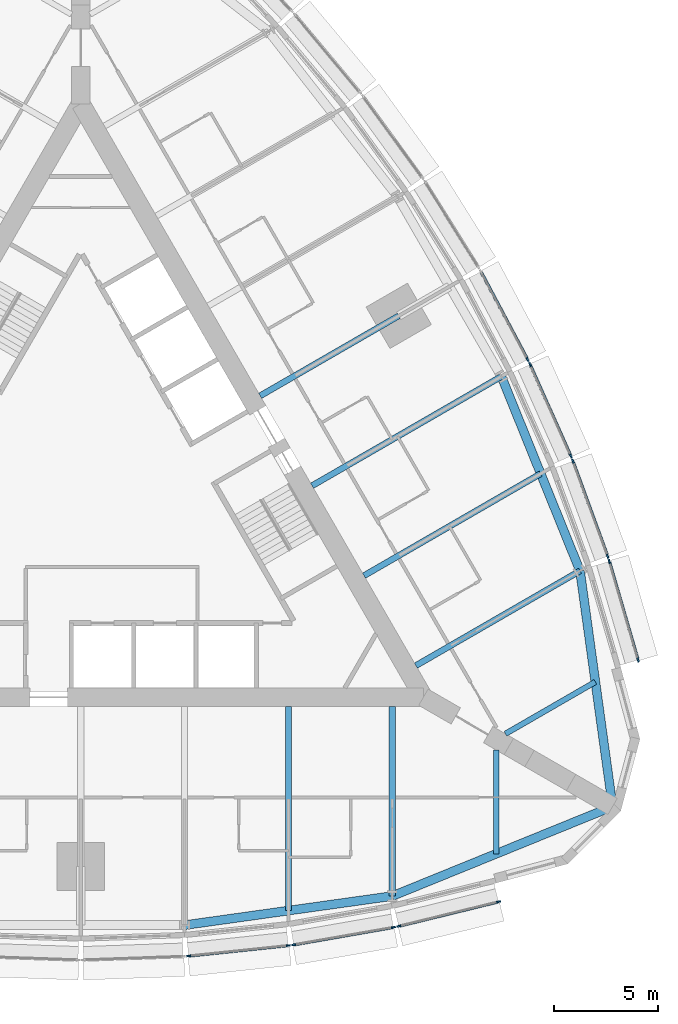
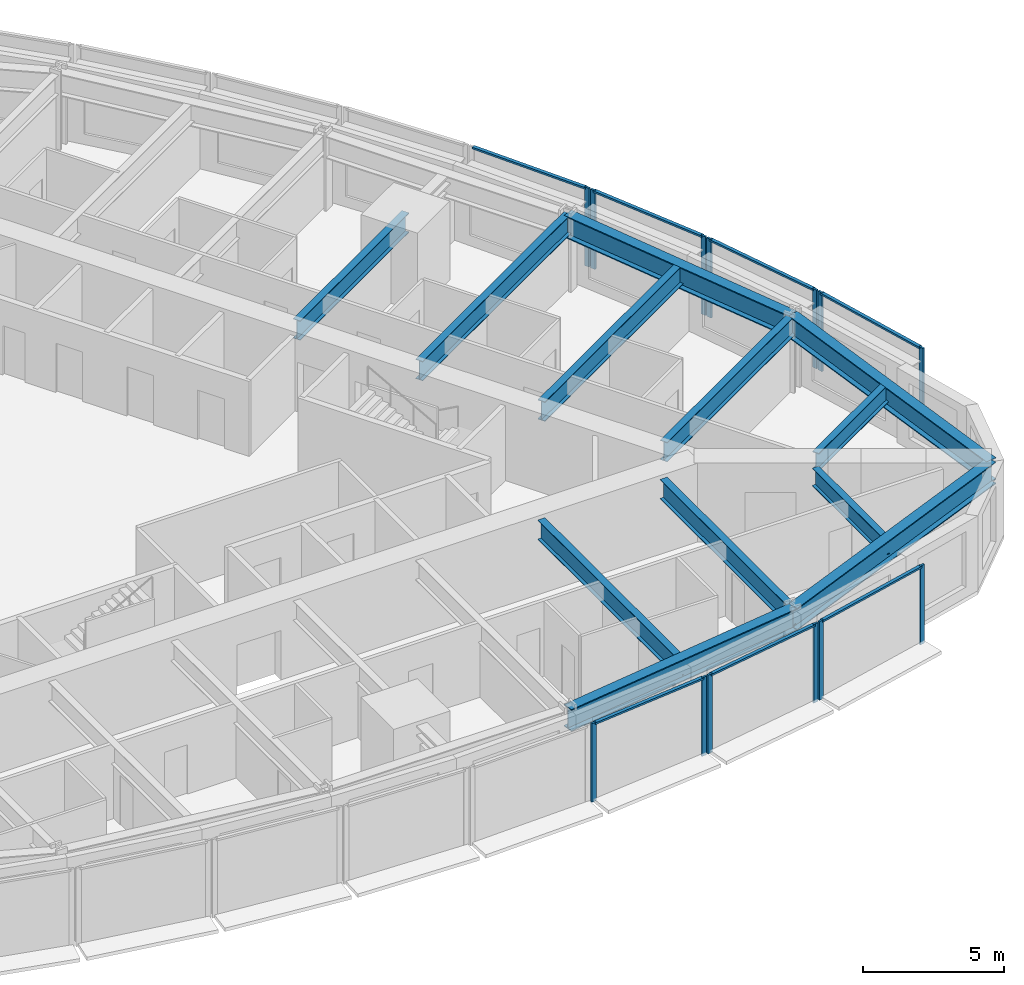
# One storey, part 3 of 14: 20 members, 12 beams, 7 elements without a shape of their own.
"""IFC4 building model written with IfcOpenShell, lengths in metres."""

from ifc_helpers import new_model, si_unit, direction, frame, origin, origin_2d, place, context, subcontext, project, spatial, rectangle, i_section, extrude, material, material_profile, profile_set, type_object, element, aggregate, save


model = new_model("IFC4")

# Units and contexts
model_context = context("Model", 3, precision=1e-05, world=origin(), true_north=direction((0.0, 1.0)))
body_context = subcontext(model_context, "Body", "Model", "MODEL_VIEW")
ifc_project = project(units=[si_unit("LENGTHUNIT", "METRE"), si_unit("AREAUNIT", "SQUARE_METRE"), si_unit("VOLUMEUNIT", "CUBIC_METRE"), si_unit("PLANEANGLEUNIT", "RADIAN"), si_unit("MASSUNIT", "GRAM", prefix="KILO")], contexts=[model_context])

# Site, building, storey
site_placement = place(None, origin())
site = spatial("IfcSite", under=ifc_project, at=site_placement, CompositionType="ELEMENT")
building_placement = place(site_placement, origin())
building = spatial("IfcBuilding", under=site, at=building_placement, Name="Trikona Tower", CompositionType="ELEMENT")
storey_placement = place(building_placement, frame((0.0, 0.0, 141.89990234375)))
storey = spatial("IfcBuildingStorey", under=building, at=storey_placement, Name="L37", CompositionType="ELEMENT", Elevation=141.89990234375)

# Curtain wall, members
ifc_material_1 = material(Name="Aluminium curtain wall system", Category="aluminium")
curtain_wall_type = type_object("IfcCurtainWallType", Name="Curtain wall DS2", PredefinedType="NOTDEFINED", material=ifc_material_1)
curtain_wall_1_placement = place(storey_placement, origin())
curtain_wall_1 = element("IfcCurtainWall", 1, at=curtain_wall_1_placement, inside=storey, type_object=curtain_wall_type, Name="Curtain wall DS2 L37", PredefinedType="NOTDEFINED")
ifc_material_2 = material(Name="Aluminium mullion, pale anodised", Category="aluminium")
ifc_material_profile_1 = material_profile(ifc_material_2, rectangle(XDim=0.080078125, YDim=0.199951171875, at=origin_2d()), Name="MUL-DS2")
ifc_profile_set_1 = profile_set([ifc_material_profile_1], Name="Aluminium mullion, pale anodised")
member_type_1 = type_object("IfcMemberType", Name="Mullion DS2 80x200", PredefinedType="MULLION", material=ifc_profile_set_1)
member_1_placement = place(storey_placement, frame((5.193359375, -21.98486328125, 0.0), z_axis=(0.0, 0.0, 1.0), x_axis=(-0.104433387357, 0.994531883654, 0.0)))
member_1 = element("IfcMember", 2, at=member_1_placement, type_object=member_type_1, Name="CW-DS2 mullion 1", PredefinedType="MULLION", context=body_context, shape_type="SweptSolid", body=[
    extrude(rectangle(XDim=0.080078125, YDim=0.199951171875, at=origin_2d()), origin(), (0.0, 0.0, 1.0), 3.400146484375),
])
member_2_placement = place(storey_placement, frame((9.99462890625, -21.480712890625, 0.0), z_axis=(0.0, 0.0, 1.0), x_axis=(-0.104433387357, 0.994531883654, 0.0)))
member_2 = element("IfcMember", 3, at=member_2_placement, type_object=member_type_1, Name="CW-DS2 mullion 2", PredefinedType="MULLION", context=body_context, shape_type="SweptSolid", body=[
    extrude(rectangle(XDim=0.080078125, YDim=0.199951171875, at=origin_2d()), origin(), (0.0, 0.0, 1.0), 3.400146484375),
])

curtain_wall_2_placement = place(storey_placement, origin())
curtain_wall_2 = element("IfcCurtainWall", 4, at=curtain_wall_2_placement, inside=storey, type_object=curtain_wall_type, Name="Curtain wall DS2 L37", PredefinedType="NOTDEFINED")
member_3_placement = place(storey_placement, frame((10.253662109375, -21.444580078125, 0.0), z_axis=(0.0, 0.0, 1.0), x_axis=(-0.17237739505, 0.985030981074, 0.0)))
member_3 = element("IfcMember", 5, at=member_3_placement, type_object=member_type_1, Name="CW-DS2 mullion 1", PredefinedType="MULLION", context=body_context, shape_type="SweptSolid", body=[
    extrude(rectangle(XDim=0.080078125, YDim=0.199951171875, at=origin_2d()), origin(), (0.0, 0.0, 1.0), 3.400146484375),
])
member_4_placement = place(storey_placement, frame((15.056640625, -20.60400390625, 0.0), z_axis=(0.0, 0.0, 1.0), x_axis=(-0.17237739505, 0.985030981074, 0.0)))
member_4 = element("IfcMember", 6, at=member_4_placement, type_object=member_type_1, Name="CW-DS2 mullion 2", PredefinedType="MULLION", context=body_context, shape_type="SweptSolid", body=[
    extrude(rectangle(XDim=0.080078125, YDim=0.199951171875, at=origin_2d()), origin(), (0.0, 0.0, 1.0), 3.400146484375),
])

curtain_wall_3_placement = place(storey_placement, origin())
curtain_wall_3 = element("IfcCurtainWall", 7, at=curtain_wall_3_placement, inside=storey, type_object=curtain_wall_type, Name="Curtain wall DS2 L37", PredefinedType="NOTDEFINED")
member_5_placement = place(storey_placement, frame((15.311279296875, -20.550537109375, 0.0), z_axis=(0.0, 0.0, 1.0), x_axis=(-0.237970204243, 0.971272455026, 0.0)))
member_5 = element("IfcMember", 8, at=member_5_placement, type_object=member_type_1, Name="CW-DS2 mullion 1", PredefinedType="MULLION", context=body_context, shape_type="SweptSolid", body=[
    extrude(rectangle(XDim=0.080078125, YDim=0.199951171875, at=origin_2d()), origin(), (0.0, 0.0, 1.0), 3.400146484375),
])
member_6_placement = place(storey_placement, frame((20.116943359375, -19.373046875, 0.0), z_axis=(0.0, 0.0, 1.0), x_axis=(-0.237970204243, 0.971272455026, 0.0)))
member_6 = element("IfcMember", 9, at=member_6_placement, type_object=member_type_1, Name="CW-DS2 mullion 2", PredefinedType="MULLION", context=body_context, shape_type="SweptSolid", body=[
    extrude(rectangle(XDim=0.080078125, YDim=0.199951171875, at=origin_2d()), origin(), (0.0, 0.0, 1.0), 3.400146484375),
])

curtain_wall_4_placement = place(storey_placement, origin())
curtain_wall_4 = element("IfcCurtainWall", 10, at=curtain_wall_4_placement, inside=storey, type_object=curtain_wall_type, Name="Curtain wall DS2 L37", PredefinedType="NOTDEFINED")
member_7_placement = place(storey_placement, frame((26.836181640625, -7.7353515625, 0.0), z_axis=(0.0, 0.0, 1.0), x_axis=(-0.96013310152, -0.279543247757, 0.0)))
member_7 = element("IfcMember", 11, at=member_7_placement, type_object=member_type_1, Name="CW-DS2 mullion 1", PredefinedType="MULLION", context=body_context, shape_type="SweptSolid", body=[
    extrude(rectangle(XDim=0.080078125, YDim=0.199951171875, at=origin_2d()), origin(), (0.0, 0.0, 1.0), 3.400146484375),
])
member_8_placement = place(storey_placement, frame((25.452880859375, -2.984619140625, 0.0), z_axis=(0.0, 0.0, 1.0), x_axis=(-0.96013310152, -0.279543247757, 0.0)))
member_8 = element("IfcMember", 12, at=member_8_placement, type_object=member_type_1, Name="CW-DS2 mullion 2", PredefinedType="MULLION", context=body_context, shape_type="SweptSolid", body=[
    extrude(rectangle(XDim=0.080078125, YDim=0.199951171875, at=origin_2d()), origin(), (0.0, 0.0, 1.0), 3.400146484375),
])

curtain_wall_5_placement = place(storey_placement, origin())
curtain_wall_5 = element("IfcCurtainWall", 13, at=curtain_wall_5_placement, inside=storey, type_object=curtain_wall_type, Name="Curtain wall DS2 L37", PredefinedType="NOTDEFINED")
member_9_placement = place(storey_placement, frame((25.371826171875, -2.737548828125, 0.0), z_axis=(0.0, 0.0, 1.0), x_axis=(-0.939253790978, -0.343223420143, 0.0)))
member_9 = element("IfcMember", 14, at=member_9_placement, type_object=member_type_1, Name="CW-DS2 mullion 1", PredefinedType="MULLION", context=body_context, shape_type="SweptSolid", body=[
    extrude(rectangle(XDim=0.080078125, YDim=0.199951171875, at=origin_2d()), origin(), (0.0, 0.0, 1.0), 3.400146484375),
])
member_10_placement = place(storey_placement, frame((23.6982421875, 1.84228515625, 0.0), z_axis=(0.0, 0.0, 1.0), x_axis=(-0.939253790978, -0.343223420143, 0.0)))
member_10 = element("IfcMember", 15, at=member_10_placement, type_object=member_type_1, Name="CW-DS2 mullion 2", PredefinedType="MULLION", context=body_context, shape_type="SweptSolid", body=[
    extrude(rectangle(XDim=0.080078125, YDim=0.199951171875, at=origin_2d()), origin(), (0.0, 0.0, 1.0), 3.400146484375),
])

curtain_wall_6_placement = place(storey_placement, origin())
curtain_wall_6 = element("IfcCurtainWall", 16, at=curtain_wall_6_placement, inside=storey, type_object=curtain_wall_type, Name="Curtain wall DS2 L37", PredefinedType="NOTDEFINED")
member_11_placement = place(storey_placement, frame((23.60009765625, 2.0849609375, 0.0), z_axis=(0.0, 0.0, 1.0), x_axis=(-0.913501208767, -0.406836013132, 0.0)))
member_11 = element("IfcMember", 17, at=member_11_placement, type_object=member_type_1, Name="CW-DS2 mullion 1", PredefinedType="MULLION", context=body_context, shape_type="SweptSolid", body=[
    extrude(rectangle(XDim=0.080078125, YDim=0.199951171875, at=origin_2d()), origin(), (0.0, 0.0, 1.0), 3.400146484375),
])
member_12_placement = place(storey_placement, frame((21.63623046875, 6.494873046875, 0.0), z_axis=(0.0, 0.0, 1.0), x_axis=(-0.913501208767, -0.406836013132, 0.0)))
member_12 = element("IfcMember", 18, at=member_12_placement, type_object=member_type_1, Name="CW-DS2 mullion 2", PredefinedType="MULLION", context=body_context, shape_type="SweptSolid", body=[
    extrude(rectangle(XDim=0.080078125, YDim=0.199951171875, at=origin_2d()), origin(), (0.0, 0.0, 1.0), 3.400146484375),
])

# Curtain wall, member
curtain_wall_7_placement = place(storey_placement, origin())
curtain_wall_7 = element("IfcCurtainWall", 19, at=curtain_wall_7_placement, inside=storey, type_object=curtain_wall_type, Name="Curtain wall DS2 L37", PredefinedType="NOTDEFINED")
member_13_placement = place(storey_placement, frame((21.52099609375, 6.730712890625, 0.0), z_axis=(0.0, 0.0, 1.0), x_axis=(-0.882996107343, -0.469380308937, 0.0)))
member_13 = element("IfcMember", 20, at=member_13_placement, type_object=member_type_1, Name="CW-DS2 mullion 1", PredefinedType="MULLION", context=body_context, shape_type="SweptSolid", body=[
    extrude(rectangle(XDim=0.080078125, YDim=0.199951171875, at=origin_2d()), origin(), (0.0, 0.0, 1.0), 3.400146484375),
])

# Beams
ifc_material_3 = material(Name="Steel ASTM A992 Grade 50", Category="steel")
ifc_material_profile_2 = material_profile(ifc_material_3, i_section(OverallWidth=0.2666015625, OverallDepth=0.76953125, WebThickness=0.015625, FlangeThickness=0.025390625, at=origin_2d()), Name="W30X132")
ifc_profile_set_2 = profile_set([ifc_material_profile_2], Name="Steel ASTM A992 Grade 50")
beam_type_1 = type_object("IfcBeamType", Name="Steel beam W30x132 (wedge)", PredefinedType="BEAM", material=ifc_profile_set_2)
beam_1_placement = place(storey_placement, frame((20.0, -12.066650390625, 2.850341796875), z_axis=(0.0, -1.0, 0.0), x_axis=(1.0, 0.0, 0.0)))
element("IfcBeam", 21, at=beam_1_placement, inside=storey, type_object=beam_type_1, Name="Floor beam L38 F1 u20", PredefinedType="BEAM", context=body_context, shape_type="SweptSolid", body=[
    extrude(i_section(OverallWidth=0.2666015625, OverallDepth=0.76953125, WebThickness=0.015625, FlangeThickness=0.025390625, at=origin_2d()), origin(), (0.0, 0.0, 1.0), 5.00048828125),
])
beam_2_placement = place(storey_placement, frame((20.449951171875, -11.287109375, 2.850341796875), z_axis=(0.866038434829, 0.49997742889, 0.0), x_axis=(-0.49997742889, 0.866038434829, 0.0)))
element("IfcBeam", 22, at=beam_2_placement, inside=storey, type_object=beam_type_1, Name="Floor beam L38 F2 u-20", PredefinedType="BEAM", context=body_context, shape_type="SweptSolid", body=[
    extrude(i_section(OverallWidth=0.2666015625, OverallDepth=0.76953125, WebThickness=0.015625, FlangeThickness=0.025390625, at=origin_2d()), origin(), (0.0, 0.0, 1.0), 5.000732421875),
])
ifc_material_4 = material(Name="Steel ASTM A992 Grade 50", Category="steel")
ifc_material_profile_3 = material_profile(ifc_material_4, i_section(OverallWidth=0.2919921875, OverallDepth=0.845703125, WebThickness=0.015380859375, FlangeThickness=0.0244140625, at=origin_2d()), Name="W33X141")
ifc_profile_set_3 = profile_set([ifc_material_profile_3], Name="Steel ASTM A992 Grade 50")
beam_type_2 = type_object("IfcBeamType", Name="Steel beam W33x141 (radial typ)", PredefinedType="BEAM", material=ifc_profile_set_3)
beam_3_placement = place(storey_placement, frame((10.0, -9.976318359375, 2.812255859375), z_axis=(0.0, -1.0, 0.0), x_axis=(1.0, 0.0, 0.0)))
element("IfcBeam", 23, at=beam_3_placement, inside=storey, type_object=beam_type_2, Name="Floor beam L38 F1 u10", PredefinedType="BEAM", context=body_context, shape_type="SweptSolid", body=[
    extrude(i_section(OverallWidth=0.2919921875, OverallDepth=0.845703125, WebThickness=0.015380859375, FlangeThickness=0.0244140625, at=origin_2d()), origin(), (0.0, 0.0, 1.0), 9.823974609375),
])
beam_4_placement = place(storey_placement, frame((15.0, -9.976318359375, 2.812255859375), z_axis=(0.0, -1.0, 0.0), x_axis=(1.0, 0.0, 0.0)))
element("IfcBeam", 24, at=beam_4_placement, inside=storey, type_object=beam_type_2, Name="Floor beam L38 F1 u15", PredefinedType="BEAM", context=body_context, shape_type="SweptSolid", body=[
    extrude(i_section(OverallWidth=0.2919921875, OverallDepth=0.845703125, WebThickness=0.015380859375, FlangeThickness=0.0244140625, at=origin_2d()), origin(), (0.0, 0.0, 1.0), 9.123779296875),
])
beam_5_placement = place(storey_placement, frame((16.1396484375, -8.002197265625, 2.812255859375), z_axis=(0.866024725532, 0.500001174766, 0.0), x_axis=(-0.500001174766, 0.866024725532, 0.0)))
element("IfcBeam", 25, at=beam_5_placement, inside=storey, type_object=beam_type_2, Name="Floor beam L38 F2 u-15", PredefinedType="BEAM", context=body_context, shape_type="SweptSolid", body=[
    extrude(i_section(OverallWidth=0.2919921875, OverallDepth=0.845703125, WebThickness=0.015380859375, FlangeThickness=0.0244140625, at=origin_2d()), origin(), (0.0, 0.0, 1.0), 9.1240234375),
])
beam_6_placement = place(storey_placement, frame((13.6396484375, -3.672119140625, 2.812255859375), z_axis=(0.866020046725, 0.500009278584, 0.0), x_axis=(-0.500009278584, 0.866020046725, 0.0)))
element("IfcBeam", 26, at=beam_6_placement, inside=storey, type_object=beam_type_2, Name="Floor beam L38 F2 u-10", PredefinedType="BEAM", context=body_context, shape_type="SweptSolid", body=[
    extrude(i_section(OverallWidth=0.2919921875, OverallDepth=0.845703125, WebThickness=0.015380859375, FlangeThickness=0.0244140625, at=origin_2d()), origin(), (0.0, 0.0, 1.0), 9.823974609375),
])
beam_7_placement = place(storey_placement, frame((11.1396484375, 0.657958984375, 2.812255859375), z_axis=(0.866026035623, 0.499998905622, 0.0), x_axis=(-0.499998905622, 0.866026035623, 0.0)))
element("IfcBeam", 27, at=beam_7_placement, inside=storey, type_object=beam_type_2, Name="Floor beam L38 F2 u-5", PredefinedType="BEAM", context=body_context, shape_type="SweptSolid", body=[
    extrude(i_section(OverallWidth=0.2919921875, OverallDepth=0.845703125, WebThickness=0.015380859375, FlangeThickness=0.0244140625, at=origin_2d()), origin(), (0.0, 0.0, 1.0), 10.52392578125),
])
beam_8_placement = place(storey_placement, frame((8.6396484375, 4.988037109375, 2.812255859375), z_axis=(0.866017246294, 0.500014128921, 0.0), x_axis=(-0.500014128921, 0.866017246294, 0.0)))
element("IfcBeam", 28, at=beam_8_placement, inside=storey, type_object=beam_type_2, Name="Floor beam L38 F2 u0", PredefinedType="BEAM", context=body_context, shape_type="SweptSolid", body=[
    extrude(i_section(OverallWidth=0.2919921875, OverallDepth=0.845703125, WebThickness=0.015380859375, FlangeThickness=0.0244140625, at=origin_2d()), origin(), (0.0, 0.0, 1.0), 7.704345703125),
])
ifc_material_5 = material(Name="Steel ASTM A992 Grade 50", Category="steel")
ifc_material_profile_4 = material_profile(ifc_material_5, i_section(OverallWidth=0.424072265625, OverallDepth=0.947509765625, WebThickness=0.02392578125, FlangeThickness=0.042724609375, at=origin_2d()), Name="W36X302")
ifc_profile_set_4 = profile_set([ifc_material_profile_4], Name="Steel ASTM A992 Grade 50")
beam_type_3 = type_object("IfcBeamType", Name="Steel beam W36x302 (spandrel)", PredefinedType="SPANDREL", material=ifc_profile_set_4)
beam_9_placement = place(storey_placement, frame((5.0, -20.500244140625, 2.761474609375), z_axis=(0.990339754644, 0.13866207258, 0.0), x_axis=(-0.13866207258, 0.990339754644, 0.0)))
element("IfcBeam", 29, at=beam_9_placement, inside=storey, type_object=beam_type_3, Name="Spandrel beam L38 F1-4", PredefinedType="SPANDREL", context=body_context, shape_type="SweptSolid", body=[
    extrude(i_section(OverallWidth=0.424072265625, OverallDepth=0.947509765625, WebThickness=0.02392578125, FlangeThickness=0.042724609375, at=origin_2d()), origin(), (0.0, 0.0, 1.0), 10.09765625),
])
for number, where, z_axis, x_axis, name in (
    (30, (15.0, -19.10009765625, 2.761474609375), (0.926359695662, 0.376640032728, 0.0), (-0.376640032728, 0.926359695662, 0.0), "Spandrel beam L38 F1-5"),
    (31, (25.6103515625, -14.7861328125, 2.761474609375), (-0.136991535842, 0.990572218017, 0.0), (-0.990572218017, -0.136991535842, 0.0), "Spandrel beam L38 F2-1"),
):
    element("IfcBeam", number, at=place(storey_placement, frame(where, z_axis=z_axis, x_axis=x_axis)), inside=storey, type_object=beam_type_3, Name=name, PredefinedType="SPANDREL", context=body_context, shape_type="SweptSolid", body=[
        extrude(i_section(OverallWidth=0.424072265625, OverallDepth=0.947509765625, WebThickness=0.02392578125, FlangeThickness=0.042724609375, at=origin_2d()), origin(), (0.0, 0.0, 1.0), 11.453857421875),
    ])
beam_10_placement = place(storey_placement, frame((24.041259765625, -3.440185546875, 2.761474609375), z_axis=(-0.375106193787, 0.926981846307, 0.0), x_axis=(-0.926981846307, -0.375106193787, 0.0)))
element("IfcBeam", 32, at=beam_10_placement, inside=storey, type_object=beam_type_3, Name="Spandrel beam L38 F2-2", PredefinedType="SPANDREL", context=body_context, shape_type="SweptSolid", body=[
    extrude(i_section(OverallWidth=0.424072265625, OverallDepth=0.947509765625, WebThickness=0.02392578125, FlangeThickness=0.042724609375, at=origin_2d()), origin(), (0.0, 0.0, 1.0), 10.097412109375),
])

# Member
ifc_material_6 = material(Name="Aluminium transom, pale anodised", Category="aluminium")
ifc_material_profile_5 = material_profile(ifc_material_6, rectangle(XDim=0.139892578125, YDim=0.080078125, at=origin_2d()), Name="TRN-DS2")
ifc_profile_set_5 = profile_set([ifc_material_profile_5], Name="Aluminium transom, pale anodised")
member_type_2 = type_object("IfcMemberType", Name="Transom DS2 80x140", PredefinedType="USERDEFINED", material=ifc_profile_set_5)
member_14_placement = place(storey_placement, frame((5.233154296875, -21.980712890625, 3.360107421875), z_axis=(0.99453106441, 0.104441188822, 0.0), x_axis=(-0.104441188822, 0.99453106441, 0.0)))
member_14 = element("IfcMember", 33, at=member_14_placement, type_object=member_type_2, Name="CW-DS2 transom 1.1", ObjectType="TRANSOM", PredefinedType="USERDEFINED", context=body_context, shape_type="SweptSolid", body=[
    extrude(rectangle(XDim=0.139892578125, YDim=0.080078125, at=origin_2d()), origin(), (0.0, 0.0, 1.0), 4.74755859375),
])

aggregate(curtain_wall_1, [member_1, member_2, member_14])

member_15_placement = place(storey_placement, frame((10.29296875, -21.4375, 3.360107421875), z_axis=(0.98503262804, 0.172367983387, 0.0), x_axis=(-0.172367983387, 0.98503262804, 0.0)))
member_15 = element("IfcMember", 34, at=member_15_placement, type_object=member_type_2, Name="CW-DS2 transom 1.1", ObjectType="TRANSOM", PredefinedType="USERDEFINED", context=body_context, shape_type="SweptSolid", body=[
    extrude(rectangle(XDim=0.139892578125, YDim=0.080078125, at=origin_2d()), origin(), (0.0, 0.0, 1.0), 4.7958984375),
])

aggregate(curtain_wall_2, [member_3, member_4, member_15])

member_16_placement = place(storey_placement, frame((15.35009765625, -20.541015625, 3.360107421875), z_axis=(0.971270583303, 0.237977843528, 0.0), x_axis=(-0.237977843528, 0.971270583303, 0.0)))
member_16 = element("IfcMember", 35, at=member_16_placement, type_object=member_type_2, Name="CW-DS2 transom 1.1", ObjectType="TRANSOM", PredefinedType="USERDEFINED", context=body_context, shape_type="SweptSolid", body=[
    extrude(rectangle(XDim=0.139892578125, YDim=0.080078125, at=origin_2d()), origin(), (0.0, 0.0, 1.0), 4.867919921875),
])

aggregate(curtain_wall_3, [member_5, member_6, member_16])

member_17_placement = place(storey_placement, frame((26.824951171875, -7.69677734375, 3.360107421875), z_axis=(-0.279566628153, 0.960126293996, 0.0), x_axis=(-0.960126293996, -0.279566628153, 0.0)))
member_17 = element("IfcMember", 36, at=member_17_placement, type_object=member_type_2, Name="CW-DS2 transom 1.1", ObjectType="TRANSOM", PredefinedType="USERDEFINED", context=body_context, shape_type="SweptSolid", body=[
    extrude(rectangle(XDim=0.139892578125, YDim=0.080078125, at=origin_2d()), origin(), (0.0, 0.0, 1.0), 4.86767578125),
])

aggregate(curtain_wall_4, [member_7, member_8, member_17])

member_18_placement = place(storey_placement, frame((25.358154296875, -2.699951171875, 3.360107421875), z_axis=(-0.343205907674, 0.939260190223, 0.0), x_axis=(-0.939260190223, -0.343205907674, 0.0)))
member_18 = element("IfcMember", 37, at=member_18_placement, type_object=member_type_2, Name="CW-DS2 transom 1.1", ObjectType="TRANSOM", PredefinedType="USERDEFINED", context=body_context, shape_type="SweptSolid", body=[
    extrude(rectangle(XDim=0.139892578125, YDim=0.080078125, at=origin_2d()), origin(), (0.0, 0.0, 1.0), 4.7958984375),
])

aggregate(curtain_wall_5, [member_9, member_10, member_18])

member_19_placement = place(storey_placement, frame((23.583740234375, 2.12158203125, 3.360107421875), z_axis=(-0.406839769607, 0.913499535778, 0.0), x_axis=(-0.913499535778, -0.406839769607, 0.0)))
member_19 = element("IfcMember", 38, at=member_19_placement, type_object=member_type_2, Name="CW-DS2 transom 1.1", ObjectType="TRANSOM", PredefinedType="USERDEFINED", context=body_context, shape_type="SweptSolid", body=[
    extrude(rectangle(XDim=0.139892578125, YDim=0.080078125, at=origin_2d()), origin(), (0.0, 0.0, 1.0), 4.747314453125),
])

aggregate(curtain_wall_6, [member_11, member_12, member_19])

member_20_placement = place(storey_placement, frame((21.502197265625, 6.76611328125, 3.360107421875), z_axis=(-0.469364343408, 0.883004594063, 0.0), x_axis=(-0.883004594063, -0.469364343408, 0.0)))
member_20 = element("IfcMember", 39, at=member_20_placement, type_object=member_type_2, Name="CW-DS2 transom 1.1", ObjectType="TRANSOM", PredefinedType="USERDEFINED", context=body_context, shape_type="SweptSolid", body=[
    extrude(rectangle(XDim=0.139892578125, YDim=0.080078125, at=origin_2d()), origin(), (0.0, 0.0, 1.0), 4.722900390625),
])

aggregate(curtain_wall_7, [member_13, member_20])

save(model, "model.ifc")
